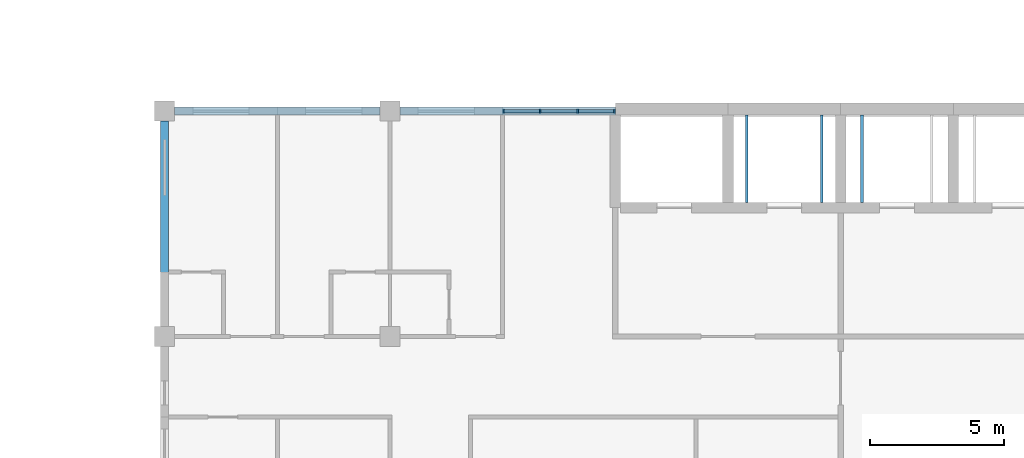
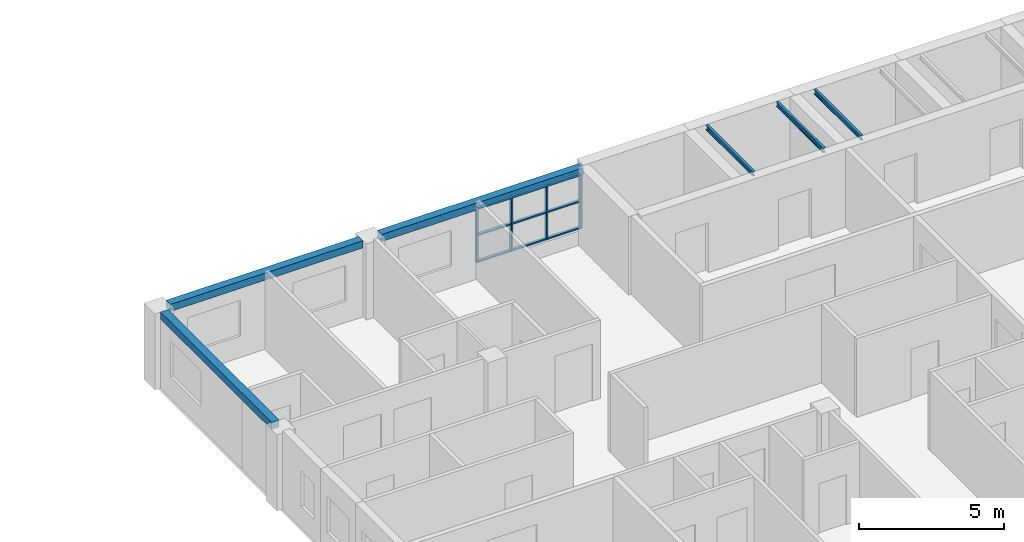
# One storey, part 10 of 48: 13 members, 6 beams, 1 element without a shape of its own.
"""IFC4 building model written with IfcOpenShell, lengths in metres."""

from ifc_helpers import new_model, si_unit, direction, frame, origin, origin_2d, place, context, subcontext, project, spatial, rectangle, i_section, extrude, material, material_profile, profile_set, type_object, element, aggregate, save


model = new_model("IFC4")

# Units and contexts
model_context = context("Model", 3, precision=1e-05, world=origin(), true_north=direction((0.0, 1.0)))
body_context = subcontext(model_context, "Body", "Model", "MODEL_VIEW")
ifc_project = project(units=[si_unit("LENGTHUNIT", "METRE"), si_unit("AREAUNIT", "SQUARE_METRE"), si_unit("VOLUMEUNIT", "CUBIC_METRE"), si_unit("PLANEANGLEUNIT", "RADIAN"), si_unit("MASSUNIT", "GRAM", prefix="KILO")], contexts=[model_context])

# Site, building, storey
site_placement = place(None, origin())
site = spatial("IfcSite", under=ifc_project, at=site_placement, CompositionType="ELEMENT")
building_placement = place(site_placement, origin())
building = spatial("IfcBuilding", under=site, at=building_placement, Name="Yavir Park General Hospital", CompositionType="ELEMENT")
storey_placement = place(building_placement, frame((0.0, 0.0, 26.10009765625)))
storey = spatial("IfcBuildingStorey", under=building, at=storey_placement, Name="L06", CompositionType="ELEMENT", Elevation=26.10009765625)

# Curtain wall, members
ifc_material_1 = material(Name="Aluminium curtain wall frame with insulated glazing", Category="aluminium")
curtain_wall_type = type_object("IfcCurtainWallType", Name="Day room pocket glazing, ward floors, 2300 high, 1400 module", PredefinedType="NOTDEFINED", material=ifc_material_1)
curtain_wall_placement = place(storey_placement, origin())
curtain_wall = element("IfcCurtainWall", 1, at=curtain_wall_placement, inside=storey, type_object=curtain_wall_type, Name="CW63 L06-011", PredefinedType="NOTDEFINED")
ifc_material_2 = material(Name="Aluminium", Category="aluminium")
ifc_material_profile_1 = material_profile(ifc_material_2, rectangle(XDim=0.139892578125, YDim=0.06005859375, at=origin_2d()), Name="AL 60x140")
ifc_profile_set_1 = profile_set([ifc_material_profile_1], Name="Aluminium")
member_type_1 = type_object("IfcMemberType", Name="Day room pocket glazing, ward floors, 2300 high mullion 60 x 140", PredefinedType="MULLION", material=ifc_profile_set_1)
member_1_placement = place(storey_placement, frame((113.429931640625, 25.199951171875, 0.599853515625), z_axis=(0.0, 0.0, 1.0), x_axis=(0.0, 1.0, 0.0)))
member_1 = element("IfcMember", 2, at=member_1_placement, type_object=member_type_1, Name="CW63 mullion 1", PredefinedType="MULLION", context=body_context, shape_type="SweptSolid", body=[
    extrude(rectangle(XDim=0.139892578125, YDim=0.06005859375, at=origin_2d()), origin(), (0.0, 0.0, 1.0), 2.300048828125),
])
member_2_placement = place(storey_placement, frame((114.800048828125, 25.199951171875, 0.599853515625), z_axis=(0.0, 0.0, 1.0), x_axis=(0.0, 1.0, 0.0)))
member_2 = element("IfcMember", 3, at=member_2_placement, type_object=member_type_1, Name="CW63 mullion 2", PredefinedType="MULLION", context=body_context, shape_type="SweptSolid", body=[
    extrude(rectangle(XDim=0.139892578125, YDim=0.06005859375, at=origin_2d()), origin(), (0.0, 0.0, 1.0), 2.300048828125),
])
member_3_placement = place(storey_placement, frame((116.199951171875, 25.199951171875, 0.599853515625), z_axis=(0.0, 0.0, 1.0), x_axis=(0.0, 1.0, 0.0)))
member_3 = element("IfcMember", 4, at=member_3_placement, type_object=member_type_1, Name="CW63 mullion 3", PredefinedType="MULLION", context=body_context, shape_type="SweptSolid", body=[
    extrude(rectangle(XDim=0.139892578125, YDim=0.06005859375, at=origin_2d()), origin(), (0.0, 0.0, 1.0), 2.300048828125),
])
member_4_placement = place(storey_placement, frame((117.570068359375, 25.199951171875, 0.599853515625), z_axis=(0.0, 0.0, 1.0), x_axis=(0.0, 1.0, 0.0)))
member_4 = element("IfcMember", 5, at=member_4_placement, type_object=member_type_1, Name="CW63 mullion 4", PredefinedType="MULLION", context=body_context, shape_type="SweptSolid", body=[
    extrude(rectangle(XDim=0.139892578125, YDim=0.06005859375, at=origin_2d()), origin(), (0.0, 0.0, 1.0), 2.300048828125),
])
ifc_material_3 = material(Name="Aluminium", Category="aluminium")
ifc_material_profile_2 = material_profile(ifc_material_3, rectangle(XDim=0.1201171875, YDim=0.06005859375, at=origin_2d()), Name="AL 120x60")
ifc_profile_set_2 = profile_set([ifc_material_profile_2], Name="Aluminium")
member_type_2 = type_object("IfcMemberType", Name="Day room pocket glazing, ward floors, 2300 high transom 60 x 120", PredefinedType="MULLION", material=ifc_profile_set_2)
member_5_placement = place(storey_placement, frame((113.4599609375, 25.199951171875, 0.6298828125), z_axis=(1.0, 0.0, 0.0), x_axis=(0.0, 1.0, 0.0)))
member_5 = element("IfcMember", 6, at=member_5_placement, type_object=member_type_2, Name="CW63 transom 1.1", PredefinedType="MULLION", context=body_context, shape_type="SweptSolid", body=[
    extrude(rectangle(XDim=0.1201171875, YDim=0.06005859375, at=origin_2d()), origin(), (0.0, 0.0, 1.0), 1.31005859375),
])
member_6_placement = place(storey_placement, frame((113.4599609375, 25.199951171875, 1.75), z_axis=(1.0, 0.0, 0.0), x_axis=(0.0, 1.0, 0.0)))
member_6 = element("IfcMember", 7, at=member_6_placement, type_object=member_type_2, Name="CW63 transom 1.2", PredefinedType="MULLION", context=body_context, shape_type="SweptSolid", body=[
    extrude(rectangle(XDim=0.1201171875, YDim=0.06005859375, at=origin_2d()), origin(), (0.0, 0.0, 1.0), 1.31005859375),
])
member_7_placement = place(storey_placement, frame((113.4599609375, 25.199951171875, 2.869873046875), z_axis=(1.0, 0.0, 0.0), x_axis=(0.0, 1.0, 0.0)))
member_7 = element("IfcMember", 8, at=member_7_placement, type_object=member_type_2, Name="CW63 transom 1.3", PredefinedType="MULLION", context=body_context, shape_type="SweptSolid", body=[
    extrude(rectangle(XDim=0.1201171875, YDim=0.06005859375, at=origin_2d()), origin(), (0.0, 0.0, 1.0), 1.31005859375),
])
member_8_placement = place(storey_placement, frame((114.830078125, 25.199951171875, 0.6298828125), z_axis=(1.0, 0.0, 0.0), x_axis=(0.0, 1.0, 0.0)))
member_8 = element("IfcMember", 9, at=member_8_placement, type_object=member_type_2, Name="CW63 transom 2.1", PredefinedType="MULLION", context=body_context, shape_type="SweptSolid", body=[
    extrude(rectangle(XDim=0.1201171875, YDim=0.06005859375, at=origin_2d()), origin(), (0.0, 0.0, 1.0), 1.33984375),
])
member_9_placement = place(storey_placement, frame((114.830078125, 25.199951171875, 1.75), z_axis=(1.0, 0.0, 0.0), x_axis=(0.0, 1.0, 0.0)))
member_9 = element("IfcMember", 10, at=member_9_placement, type_object=member_type_2, Name="CW63 transom 2.2", PredefinedType="MULLION", context=body_context, shape_type="SweptSolid", body=[
    extrude(rectangle(XDim=0.1201171875, YDim=0.06005859375, at=origin_2d()), origin(), (0.0, 0.0, 1.0), 1.33984375),
])
member_10_placement = place(storey_placement, frame((114.830078125, 25.199951171875, 2.869873046875), z_axis=(1.0, 0.0, 0.0), x_axis=(0.0, 1.0, 0.0)))
member_10 = element("IfcMember", 11, at=member_10_placement, type_object=member_type_2, Name="CW63 transom 2.3", PredefinedType="MULLION", context=body_context, shape_type="SweptSolid", body=[
    extrude(rectangle(XDim=0.1201171875, YDim=0.06005859375, at=origin_2d()), origin(), (0.0, 0.0, 1.0), 1.33984375),
])
member_11_placement = place(storey_placement, frame((116.22998046875, 25.199951171875, 0.6298828125), z_axis=(1.0, 0.0, 0.0), x_axis=(0.0, 1.0, 0.0)))
member_11 = element("IfcMember", 12, at=member_11_placement, type_object=member_type_2, Name="CW63 transom 3.1", PredefinedType="MULLION", context=body_context, shape_type="SweptSolid", body=[
    extrude(rectangle(XDim=0.1201171875, YDim=0.06005859375, at=origin_2d()), origin(), (0.0, 0.0, 1.0), 1.31005859375),
])
member_12_placement = place(storey_placement, frame((116.22998046875, 25.199951171875, 1.75), z_axis=(1.0, 0.0, 0.0), x_axis=(0.0, 1.0, 0.0)))
member_12 = element("IfcMember", 13, at=member_12_placement, type_object=member_type_2, Name="CW63 transom 3.2", PredefinedType="MULLION", context=body_context, shape_type="SweptSolid", body=[
    extrude(rectangle(XDim=0.1201171875, YDim=0.06005859375, at=origin_2d()), origin(), (0.0, 0.0, 1.0), 1.31005859375),
])
member_13_placement = place(storey_placement, frame((116.22998046875, 25.199951171875, 2.869873046875), z_axis=(1.0, 0.0, 0.0), x_axis=(0.0, 1.0, 0.0)))
member_13 = element("IfcMember", 14, at=member_13_placement, type_object=member_type_2, Name="CW63 transom 3.3", PredefinedType="MULLION", context=body_context, shape_type="SweptSolid", body=[
    extrude(rectangle(XDim=0.1201171875, YDim=0.06005859375, at=origin_2d()), origin(), (0.0, 0.0, 1.0), 1.31005859375),
])
aggregate(curtain_wall, [member_1, member_2, member_3, member_4, member_5, member_6, member_7, member_8, member_9, member_10, member_11, member_12, member_13])

# Beams
ifc_material_4 = material(Name="Steel S355", Category="steel")
ifc_material_profile_3 = material_profile(ifc_material_4, i_section(OverallWidth=0.10009765625, OverallDepth=0.199951171875, WebThickness=0.005615234375, FlangeThickness=0.008544921875, FilletRadius=0.011962890625, at=origin_2d()), Name="IPE200")
ifc_profile_set_3 = profile_set([ifc_material_profile_3], Name="Steel S355")
beam_type_1 = type_object("IfcBeamType", Name="IPE 200 lift machine beam", PredefinedType="BEAM", material=ifc_profile_set_3)
for number, where, z_axis, x_axis, name in (
    (15, (122.5, 21.800048828125, 3.199951171875), (0.0, 1.0, 0.0), (-1.0, 0.0, 0.0), "B:MACH:SL2:0"),
    (16, (125.300048828125, 21.800048828125, 3.199951171875), (0.0, 1.0, 0.0), (-1.0, 0.0, 0.0), "B:MACH:SL2:1"),
    (17, (126.800048828125, 21.800048828125, 3.199951171875), (0.0, 1.0, 0.0), (-1.0, 0.0, 0.0), "B:MACH:BL4:0"),
):
    element("IfcBeam", number, at=place(storey_placement, frame(where, z_axis=z_axis, x_axis=x_axis)), inside=storey, type_object=beam_type_1, Name=name, PredefinedType="BEAM", context=body_context, shape_type="SweptSolid", body=[
        extrude(i_section(OverallWidth=0.10009765625, OverallDepth=0.199951171875, WebThickness=0.005615234375, FlangeThickness=0.008544921875, FilletRadius=0.011962890625, at=origin_2d()), origin(), (0.0, 0.0, 1.0), 3.25),
    ])
ifc_material_5 = material(Name="Concrete C35/45", Category="concrete")
ifc_material_profile_4 = material_profile(ifc_material_5, rectangle(XDim=0.300048828125, YDim=0.300048828125, at=origin_2d()), Name="RC300x300")
ifc_profile_set_4 = profile_set([ifc_material_profile_4], Name="Concrete C35/45")
beam_type_2 = type_object("IfcBeamType", Name="RC BEAM 300x300 edge beam", PredefinedType="BEAM", material=ifc_profile_set_4)
beam_1_placement = place(storey_placement, frame((101.175048828125, 25.199951171875, 3.0498046875), z_axis=(1.0, 0.0, 0.0), x_axis=(0.0, 1.0, 0.0)))
element("IfcBeam", 18, at=beam_1_placement, inside=storey, type_object=beam_type_2, Name="B:EDGE:L06:012", PredefinedType="BEAM", context=body_context, shape_type="SweptSolid", body=[
    extrude(rectangle(XDim=0.300048828125, YDim=0.300048828125, at=origin_2d()), origin(), (0.0, 0.0, 1.0), 7.64990234375),
])
beam_2_placement = place(storey_placement, frame((109.574951171875, 25.199951171875, 3.0498046875), z_axis=(1.0, 0.0, 0.0), x_axis=(0.0, 1.0, 0.0)))
element("IfcBeam", 19, at=beam_2_placement, inside=storey, type_object=beam_type_2, Name="B:EDGE:L06:013", PredefinedType="BEAM", context=body_context, shape_type="SweptSolid", body=[
    extrude(rectangle(XDim=0.300048828125, YDim=0.300048828125, at=origin_2d()), origin(), (0.0, 0.0, 1.0), 8.025146484375),
])
beam_3_placement = place(storey_placement, frame((100.800048828125, 17.175048828125, 3.0498046875), z_axis=(0.0, 1.0, 0.0), x_axis=(-1.0, 0.0, 0.0)))
element("IfcBeam", 20, at=beam_3_placement, inside=storey, type_object=beam_type_2, Name="B:EDGE:L06:036", PredefinedType="BEAM", context=body_context, shape_type="SweptSolid", body=[
    extrude(rectangle(XDim=0.300048828125, YDim=0.300048828125, at=origin_2d()), origin(), (0.0, 0.0, 1.0), 7.64990234375),
])

save(model, "model.ifc")
